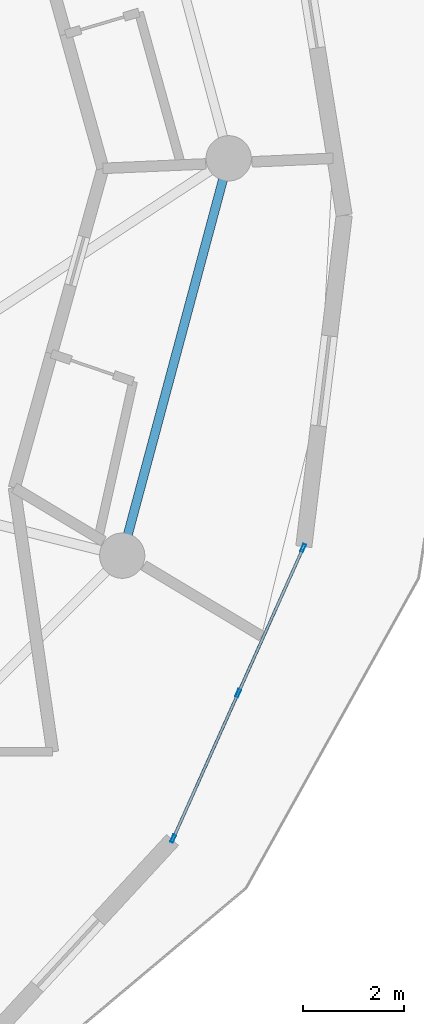
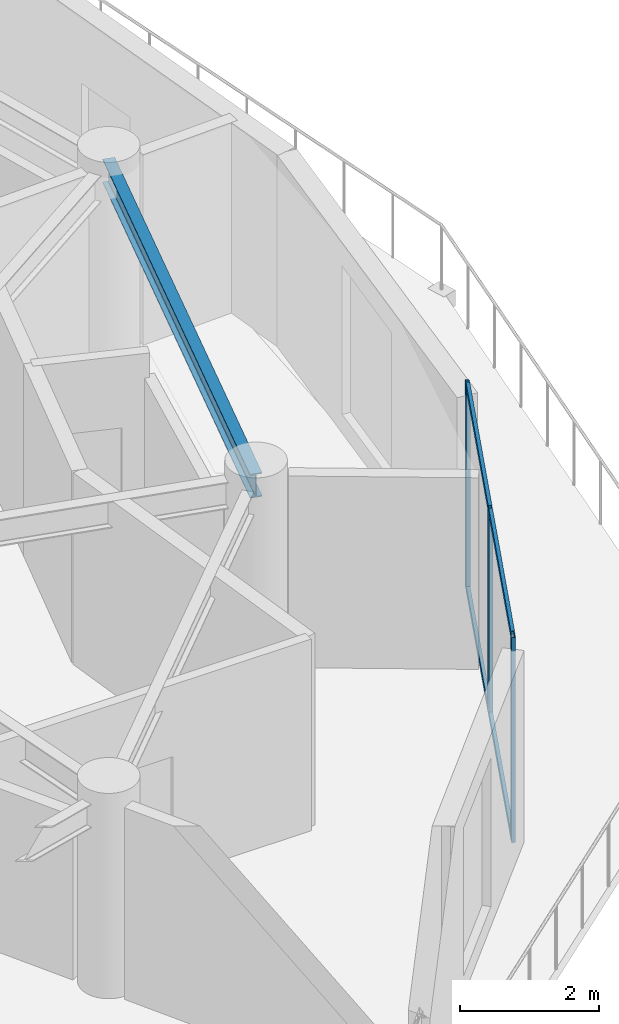
# One storey, part 11 of 22: 7 members, 1 beam, 1 element without a shape of its own.
"""IFC4 building model written with IfcOpenShell, lengths in metres."""

import ifcopenshell
import ifcopenshell.guid

model = None  # the IFC model being written
_history = None  # IfcOwnerHistory: only IFC2X3 demands one
_inside = {}  # id of a spatial element -> (the spatial element, [elements in it])
_under = {}  # id of a project, library or spatial element -> (it, [spatial elements below it])
_declared = {}  # id of a project -> (the project, [libraries it declares])
_typed = {}  # id of a type object -> (the type object, [elements of that type])
_made_of = {}  # id of a material, layer set ... -> (it, [elements and type objects made of it])


def new_model(schema):
    """Start an empty IFC model of exactly this schema.

    Asked for "IFC4X3", IfcOpenShell would pick the latest addendum, in which some entities
    have other attributes; the version numbers below select the first issue.
    IFC2X3 requires an IfcOwnerHistory on every rooted entity: one is made here for all.
    """
    global model, _history
    if schema == "IFC4X3":
        model = ifcopenshell.file(schema_version=(4, 3, 0, 0))
    else:
        model = ifcopenshell.file(schema=schema)
    _inside.clear()
    _under.clear()
    _declared.clear()
    _typed.clear()
    _made_of.clear()
    _history = None
    if model.schema == "IFC2X3":
        org = make("IfcOrganization", Name="unknown")
        user = make(
            "IfcPersonAndOrganization",
            ThePerson=make("IfcPerson", FamilyName="unknown"),
            TheOrganization=org,
        )
        app = make(
            "IfcApplication",
            ApplicationDeveloper=org,
            Version="unknown",
            ApplicationFullName="unknown",
            ApplicationIdentifier="unknown",
        )
        _history = make(
            "IfcOwnerHistory",
            OwningUser=user,
            OwningApplication=app,
            ChangeAction="ADDED",
            CreationDate=0,
        )
    return model


def make(cls, **values):
    """One entity of the class cls with the attributes given. An attribute that is None is left unset."""
    return model.create_entity(
        cls, **{name: value for name, value in values.items() if value is not None}
    )


def rooted(cls, **values):
    """An entity with a GlobalId (a new one), such as an element, a storey or a relation."""
    return make(cls, GlobalId=ifcopenshell.guid.new(), OwnerHistory=_history, **values)


def si_unit(unit_type, name, prefix=None):
    """IfcSIUnit, for example si_unit("LENGTHUNIT", "METRE", prefix="MILLI")."""
    return make("IfcSIUnit", UnitType=unit_type, Prefix=prefix, Name=name)


def assignment(units):
    """IfcUnitAssignment: the units of a project."""
    return None if units is None else make("IfcUnitAssignment", Units=units)


def point(xyz):
    """IfcCartesianPoint."""
    return None if xyz is None else make("IfcCartesianPoint", Coordinates=xyz)


def direction(xyz):
    """IfcDirection."""
    return None if xyz is None else make("IfcDirection", DirectionRatios=xyz)


def frame(location, z_axis=None, x_axis=None):
    """IfcAxis2Placement3D, a coordinate frame: its origin and axes. An axis left out is left unset."""
    return make(
        "IfcAxis2Placement3D",
        Location=point(location),
        Axis=direction(z_axis),
        RefDirection=direction(x_axis),
    )


def frame_2d(location, x_axis=None):
    """IfcAxis2Placement2D, a coordinate frame in the plane: its origin and x axis."""
    return make(
        "IfcAxis2Placement2D", Location=point(location), RefDirection=direction(x_axis)
    )


def origin():
    """The frame at (0, 0, 0) with its axes left unset."""
    return frame((0.0, 0.0, 0.0))


def origin_2d():
    """The frame at (0, 0) in the plane with its x axis left unset."""
    return frame_2d((0.0, 0.0))


def place(relative_to, where):
    """IfcLocalPlacement: puts the frame where relative to a parent placement (None: the world)."""
    return make(
        "IfcLocalPlacement", PlacementRelTo=relative_to, RelativePlacement=where
    )


def context(
    kind, dimensions, precision=None, world=None, true_north=None, identifier=None
):
    """IfcGeometricRepresentationContext, for example the 3D "Model" context."""
    return make(
        "IfcGeometricRepresentationContext",
        ContextIdentifier=identifier,
        ContextType=kind,
        CoordinateSpaceDimension=dimensions,
        Precision=precision,
        WorldCoordinateSystem=world,
        TrueNorth=true_north,
    )


def subcontext(parent, identifier, kind, view, scale=None):
    """IfcGeometricRepresentationSubContext, for example "Body" below "Model"."""
    return make(
        "IfcGeometricRepresentationSubContext",
        ContextIdentifier=identifier,
        ContextType=kind,
        ParentContext=parent,
        TargetScale=scale,
        TargetView=view,
    )


def project(units=None, contexts=None):
    """IfcProject with its units and contexts."""
    return rooted(
        "IfcProject",
        Name="project",
        RepresentationContexts=contexts,
        UnitsInContext=assignment(units),
    )


def spatial(cls, under=None, at=None, **own):
    """A site, building, storey or space (cls), placed at a placement, below another one or the project."""
    s = rooted(cls, ObjectPlacement=at, **own)
    if under is not None:
        _under.setdefault(under.id(), (under, []))[1].append(s)
    return s


def profile(cls, at=None, kind="AREA", **sizes):
    """A parametric profile (cls). Its sizes go by their IFC names, for example OverallWidth=200.0."""
    return make(cls, ProfileType=kind, Position=at, **sizes)


def hollow_rectangle(**sizes):
    """IfcRectangleHollowProfileDef."""
    return profile("IfcRectangleHollowProfileDef", **sizes)


def i_section(**sizes):
    """IfcIShapeProfileDef."""
    return profile("IfcIShapeProfileDef", **sizes)


def extrude(swept, where, along, depth):
    """IfcExtrudedAreaSolid: the profile swept, set in the frame where, extruded along a direction by depth."""
    return make(
        "IfcExtrudedAreaSolid",
        SweptArea=swept,
        Position=where,
        ExtrudedDirection=direction(along),
        Depth=depth,
    )


def shape(context_of_items, identifier, shape_type, items):
    """IfcShapeRepresentation: the items that make up one representation, for example the "Body"."""
    return make(
        "IfcShapeRepresentation",
        ContextOfItems=context_of_items,
        RepresentationIdentifier=identifier,
        RepresentationType=shape_type,
        Items=items,
    )


def source(mapping_origin, context_of_items, identifier, shape_type, items):
    """IfcRepresentationMap: a shape defined once, which mapped items show again and again."""
    return make(
        "IfcRepresentationMap",
        MappingOrigin=mapping_origin,
        MappedRepresentation=shape(context_of_items, identifier, shape_type, items),
    )


def transform(
    local_origin,
    x_axis=None,
    y_axis=None,
    z_axis=None,
    scale=None,
    scale2=None,
    scale3=None,
    uniform=True,
):
    """IfcCartesianTransformationOperator3D, or its non-uniform kind. x_axis, y_axis, z_axis: its Axis1, 2, 3."""
    if uniform:
        return make(
            "IfcCartesianTransformationOperator3D",
            Axis1=direction(x_axis),
            Axis2=direction(y_axis),
            LocalOrigin=point(local_origin),
            Scale=scale,
            Axis3=direction(z_axis),
        )
    return make(
        "IfcCartesianTransformationOperator3DnonUniform",
        Axis1=direction(x_axis),
        Axis2=direction(y_axis),
        LocalOrigin=point(local_origin),
        Scale=scale,
        Axis3=direction(z_axis),
        Scale2=scale2,
        Scale3=scale3,
    )


def mapped(mapping_source, mapping_target):
    """IfcMappedItem: shows the shape of a source again, moved by a transform."""
    return make(
        "IfcMappedItem", MappingSource=mapping_source, MappingTarget=mapping_target
    )


def material(Name=None, Category=None):
    """IfcMaterial."""
    return make("IfcMaterial", Name=Name, Category=Category)


def layer(
    of_material, thickness, ventilated=None, Name=None, Category=None, Priority=None
):
    """IfcMaterialLayer: one layer of a wall or slab, of a material (None: an air gap)."""
    return make(
        "IfcMaterialLayer",
        Material=of_material,
        LayerThickness=thickness,
        IsVentilated=ventilated,
        Name=Name,
        Category=Category,
        Priority=Priority,
    )


def layer_set(layers, Name=None):
    """IfcMaterialLayerSet."""
    return make("IfcMaterialLayerSet", MaterialLayers=layers, LayerSetName=Name)


def material_profile(
    of_material, cross_section, Name=None, Category=None, Priority=None
):
    """IfcMaterialProfile: a cross section and its material."""
    return make(
        "IfcMaterialProfile",
        Name=Name,
        Material=of_material,
        Profile=cross_section,
        Priority=Priority,
        Category=Category,
    )


def profile_set(profiles, Name=None, composite=None):
    """IfcMaterialProfileSet."""
    return make(
        "IfcMaterialProfileSet",
        Name=Name,
        MaterialProfiles=profiles,
        CompositeProfile=composite,
    )


def made_of(thing, what):
    """Note that an element or type object is made of a material, layer set ...; save() writes the relation."""
    if what is not None:
        _made_of.setdefault(what.id(), (what, []))[1].append(thing)
    return thing


def type_object(cls, material=None, **own):
    """A type object (cls), such as IfcWallType, which elements share."""
    return made_of(rooted(cls, **own), material)


def element(
    cls,
    number,
    at=None,
    inside=None,
    cuts=None,
    type_object=None,
    material=None,
    context=None,
    identifier="Body",
    shape_type=None,
    held_by="IfcProductDefinitionShape",
    body=None,
    shapes=None,
    **own,
):
    """One element of the class cls, such as IfcWall. Its Tag is "e" and its number.

    at: its placement. inside: the storey or other place that contains it. cuts: it is an
    opening in that element (IfcRelVoidsElement). A single representation is given by context,
    identifier, shape_type and body (its items); several are given by shapes. held_by: the class
    of the entity that holds the representations. save() writes the other relations.
    """
    e = rooted(cls, Tag="e%d" % number, ObjectPlacement=at, **own)
    if body is not None:
        shapes = [shape(context, identifier, shape_type, body)]
    if shapes is not None:
        e.Representation = make(held_by, Representations=shapes)
    if inside is not None:
        _inside.setdefault(inside.id(), (inside, []))[1].append(e)
    if cuts is not None:
        rooted(
            "IfcRelVoidsElement", RelatingBuildingElement=cuts, RelatedOpeningElement=e
        )
    if type_object is not None:
        _typed.setdefault(type_object.id(), (type_object, []))[1].append(e)
    return made_of(e, material)


def aggregate(whole, parts):
    """IfcRelAggregates: a whole, such as a stair, and the parts it consists of."""
    return rooted("IfcRelAggregates", RelatingObject=whole, RelatedObjects=parts)


def save(model, path):
    """Write the relations noted so far, then the file.

    IfcRelAggregates (storeys below a building ...), IfcRelContainedInSpatialStructure (elements
    in a storey), IfcRelDefinesByType, IfcRelAssociatesMaterial and IfcRelDeclares: one each for
    every whole, place, type object, material and project.
    """
    for whole, parts in _under.values():
        aggregate(whole, parts)
    for where, things in _inside.values():
        rooted(
            "IfcRelContainedInSpatialStructure",
            RelatedElements=things,
            RelatingStructure=where,
        )
    for kind, things in _typed.values():
        rooted("IfcRelDefinesByType", RelatedObjects=things, RelatingType=kind)
    for what, things in _made_of.values():
        rooted("IfcRelAssociatesMaterial", RelatedObjects=things, RelatingMaterial=what)
    for by, libraries in _declared.values():
        rooted("IfcRelDeclares", RelatingContext=by, RelatedDefinitions=libraries)
    model.write(path)


model = new_model("IFC4")

# Units and contexts
model_context = context("Model", 3, precision=1e-05, world=origin(), true_north=direction((0.0, 1.0)))
body_context = subcontext(model_context, "Body", "Model", "MODEL_VIEW")
ifc_project = project(units=[si_unit("LENGTHUNIT", "METRE"), si_unit("AREAUNIT", "SQUARE_METRE"), si_unit("VOLUMEUNIT", "CUBIC_METRE"), si_unit("PLANEANGLEUNIT", "RADIAN"), si_unit("MASSUNIT", "GRAM", prefix="KILO")], contexts=[model_context])

# Site, building, storey
site_placement = place(None, origin())
site = spatial("IfcSite", under=ifc_project, at=site_placement, CompositionType="ELEMENT")
building_placement = place(site_placement, origin())
building = spatial("IfcBuilding", under=site, at=building_placement, Name="Solvirekh Grand Hotel", CompositionType="ELEMENT")
storey_placement = place(building_placement, frame((0.0, 0.0, 227.199951171875)))
storey = spatial("IfcBuildingStorey", under=building, at=storey_placement, Name="L59", CompositionType="ELEMENT", Elevation=227.199951171875)

# Beam
ifc_material_1 = material(Name="Steel S355", Category="steel")
ifc_material_profile_1 = material_profile(ifc_material_1, i_section(OverallWidth=0.180908203125, OverallDepth=0.4169921875, WebThickness=0.010009765625, FlangeThickness=0.01611328125, FilletRadius=0.011962890625, at=origin_2d()), Name="W410X85")
ifc_profile_set_1 = profile_set([ifc_material_profile_1], Name="Steel S355")
beam_type = type_object("IfcBeamType", Name="Spandrel_Ring_W410", PredefinedType="SPANDREL", material=ifc_profile_set_1)
beam_placement = place(storey_placement, frame((13.68310546875, -7.89990234375, 3.152099609375), z_axis=(0.258838541915, 0.965920601923, 0.0), x_axis=(-0.965920601923, 0.258838541915, 0.0)))
element("IfcBeam", 1, at=beam_placement, inside=storey, type_object=beam_type, Name="L59 perimeter spandrel beam 12", PredefinedType="SPANDREL", context=body_context, shape_type="SweptSolid", body=[
    extrude(i_section(OverallWidth=0.180908203125, OverallDepth=0.4169921875, WebThickness=0.010009765625, FlangeThickness=0.01611328125, FilletRadius=0.011962890625, at=origin_2d()), origin(), (0.0, 0.0, 1.0), 8.1787109375),
])

# Curtain wall, members
ifc_material_2 = material(Name="Anodized Bronze Aluminium 6063-T6", Category="aluminium")
ifc_layer = layer(ifc_material_2, 0.159912109375)
ifc_layer_set = layer_set([ifc_layer], Name="Anodized Bronze Aluminium 6063-T6")
curtain_wall_type = type_object("IfcCurtainWallType", Name="CW_Sys4_HighZoneFlushBronzeCW", PredefinedType="NOTDEFINED", material=ifc_layer_set)
curtain_wall_placement = place(storey_placement, origin())
curtain_wall = element("IfcCurtainWall", 2, at=curtain_wall_placement, inside=storey, type_object=curtain_wall_type, Name="L59 unitised bronze-glass curtain wall CW-L59-C03", PredefinedType="NOTDEFINED")
ifc_material_profile_2 = material_profile(ifc_material_2, hollow_rectangle(XDim=0.06005859375, YDim=0.159912109375, WallThickness=0.0048828125, at=origin_2d()), Name="ALU RHS 160X60X5")
ifc_profile_set_2 = profile_set([ifc_material_profile_2], Name="Anodized Bronze Aluminium 6063-T6")
member_type_1 = type_object("IfcMemberType", Name="CWMullion_Sys4", PredefinedType="MULLION", material=ifc_profile_set_2)
shared_shape_1 = source(origin(), body_context, "Body", "SweptSolid", [
    extrude(hollow_rectangle(XDim=0.06005859375, YDim=0.159912109375, WallThickness=0.0048828125, at=origin_2d()), origin(), (0.0, 0.0, 1.0), 3.60009765625),
])
member_1_placement = place(storey_placement, frame((14.6962890625, -13.523681640625, 0.0), z_axis=(0.0, 0.0, 1.0), x_axis=(-0.912821322646, 0.408359195958, 0.0)))
member_1 = element("IfcMember", 3, at=member_1_placement, type_object=member_type_1, Name="U04 mullion 1", PredefinedType="MULLION", context=body_context, shape_type="MappedRepresentation", body=[
    mapped(shared_shape_1, transform((0.0, 0.0, 0.0), x_axis=(1.0, 0.0, 0.0), y_axis=(0.0, 1.0, 0.0), z_axis=(0.0, 0.0, 1.0), scale=1.0)),
])
member_2_placement = place(storey_placement, frame((15.988525390625, -10.635009765625, 0.0), z_axis=(0.0, 0.0, 1.0), x_axis=(-0.912821322646, 0.408359195958, 0.0)))
member_2 = element("IfcMember", 4, at=member_2_placement, type_object=member_type_1, Name="U04 mullion 2", PredefinedType="MULLION", context=body_context, shape_type="MappedRepresentation", body=[
    mapped(shared_shape_1, transform((0.0, 0.0, 0.0), x_axis=(1.0, 0.0, 0.0), y_axis=(0.0, 1.0, 0.0), z_axis=(0.0, 0.0, 1.0), scale=1.0)),
])
member_3_placement = place(storey_placement, frame((17.28076171875, -7.746337890625, 0.0), z_axis=(0.0, 0.0, 1.0), x_axis=(-0.912821322646, 0.408359195958, 0.0)))
member_3 = element("IfcMember", 5, at=member_3_placement, type_object=member_type_1, Name="U04 mullion 3", PredefinedType="MULLION", context=body_context, shape_type="MappedRepresentation", body=[
    mapped(shared_shape_1, transform((0.0, 0.0, 0.0), x_axis=(1.0, 0.0, 0.0), y_axis=(0.0, 1.0, 0.0), z_axis=(0.0, 0.0, 1.0), scale=1.0)),
])
ifc_material_profile_3 = material_profile(ifc_material_2, hollow_rectangle(XDim=0.054931640625, YDim=0.1201171875, WallThickness=0.00390625, at=origin_2d()), Name="ALU RHS 120X55X4")
ifc_profile_set_3 = profile_set([ifc_material_profile_3], Name="Anodized Bronze Aluminium 6063-T6")
member_type_2 = type_object("IfcMemberType", Name="CWTransom_Sys4", PredefinedType="USERDEFINED", material=ifc_profile_set_3)
shared_shape_2 = source(origin(), body_context, "Body", "SweptSolid", [
    extrude(hollow_rectangle(XDim=0.054931640625, YDim=0.1201171875, WallThickness=0.00390625, at=origin_2d()), origin(), (0.0, 0.0, 1.0), 3.104736328125),
])
member_4_placement = place(storey_placement, frame((14.70849609375, -13.496337890625, 0.027587890625), z_axis=(0.408362611456, 0.912819794683, 0.0), x_axis=(-0.912819794683, 0.408362611456, 0.0)))
member_4 = element("IfcMember", 6, at=member_4_placement, type_object=member_type_2, Name="U04 transom 1.1", ObjectType="TRANSOM", PredefinedType="USERDEFINED", context=body_context, shape_type="MappedRepresentation", body=[
    mapped(shared_shape_2, transform((0.0, 0.0, 0.0), x_axis=(1.0, 0.0, 0.0), y_axis=(0.0, 1.0, 0.0), z_axis=(0.0, 0.0, 1.0), scale=1.0)),
])
member_5_placement = place(storey_placement, frame((14.70849609375, -13.496337890625, 3.572509765625), z_axis=(0.408362611456, 0.912819794683, 0.0), x_axis=(-0.912819794683, 0.408362611456, 0.0)))
member_5 = element("IfcMember", 7, at=member_5_placement, type_object=member_type_2, Name="U04 transom 1.2", ObjectType="TRANSOM", PredefinedType="USERDEFINED", context=body_context, shape_type="MappedRepresentation", body=[
    mapped(shared_shape_2, transform((0.0, 0.0, 0.0), x_axis=(1.0, 0.0, 0.0), y_axis=(0.0, 1.0, 0.0), z_axis=(0.0, 0.0, 1.0), scale=1.0)),
])
member_6_placement = place(storey_placement, frame((16.000732421875, -10.607666015625, 0.027587890625), z_axis=(0.408362611456, 0.912819794683, 0.0), x_axis=(-0.912819794683, 0.408362611456, 0.0)))
member_6 = element("IfcMember", 8, at=member_6_placement, type_object=member_type_2, Name="U04 transom 2.1", ObjectType="TRANSOM", PredefinedType="USERDEFINED", context=body_context, shape_type="MappedRepresentation", body=[
    mapped(shared_shape_2, transform((0.0, 0.0, 0.0), x_axis=(1.0, 0.0, 0.0), y_axis=(0.0, 1.0, 0.0), z_axis=(0.0, 0.0, 1.0), scale=1.0)),
])
member_7_placement = place(storey_placement, frame((16.000732421875, -10.607666015625, 3.572509765625), z_axis=(0.408362611456, 0.912819794683, 0.0), x_axis=(-0.912819794683, 0.408362611456, 0.0)))
member_7 = element("IfcMember", 9, at=member_7_placement, type_object=member_type_2, Name="U04 transom 2.2", ObjectType="TRANSOM", PredefinedType="USERDEFINED", context=body_context, shape_type="MappedRepresentation", body=[
    mapped(shared_shape_2, transform((0.0, 0.0, 0.0), x_axis=(1.0, 0.0, 0.0), y_axis=(0.0, 1.0, 0.0), z_axis=(0.0, 0.0, 1.0), scale=1.0)),
])
aggregate(curtain_wall, [member_1, member_2, member_3, member_4, member_5, member_6, member_7])

save(model, "model.ifc")
